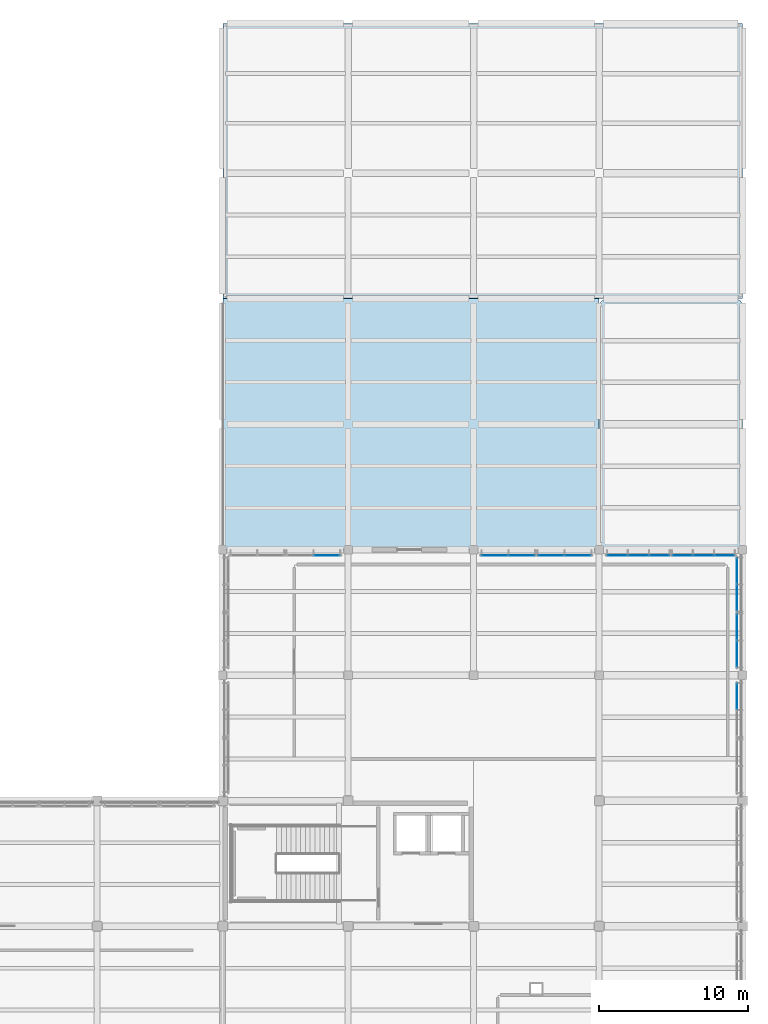
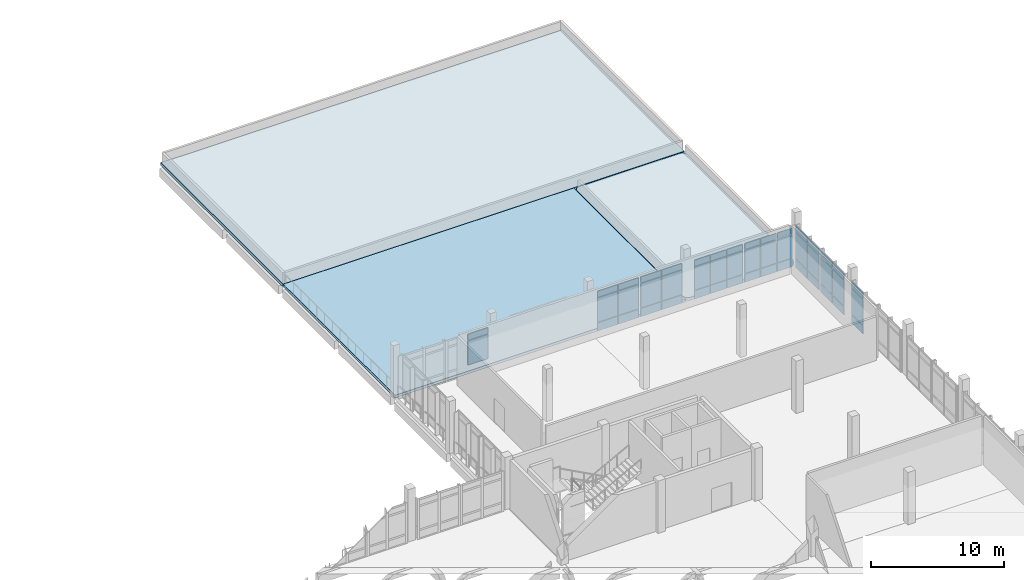
# One storey, part 39 of 63: 47 plates, 3 slabs, 8 elements without a shape of their own.
"""IFC4 building model written with IfcOpenShell, lengths in metres."""

from ifc_helpers import new_model, si_unit, derived_unit, direction, frame, origin, origin_2d, place, context, subcontext, project, spatial, polyline, rectangle, outline, extrude, material, layer, layer_set, type_object, element, aggregate, save


model = new_model("IFC4")

# Units and contexts
model_context = context("Model", 3, precision=1e-05, world=origin(), true_north=direction((0.0, 1.0)))
body_context = subcontext(model_context, "Body", "Model", "MODEL_VIEW")
ifc_project = project(units=[si_unit("LENGTHUNIT", "METRE"), si_unit("AREAUNIT", "SQUARE_METRE"), si_unit("VOLUMEUNIT", "CUBIC_METRE"), si_unit("PLANEANGLEUNIT", "RADIAN"), si_unit("MASSUNIT", "GRAM", prefix="KILO"), derived_unit("THERMALTRANSMITTANCEUNIT", [(si_unit("POWERUNIT", "WATT"), 1), (si_unit("LENGTHUNIT", "METRE"), -2), (si_unit("THERMODYNAMICTEMPERATUREUNIT", "KELVIN"), -1)])], contexts=[model_context])

# Site, building, storey
site_placement = place(None, origin())
site = spatial("IfcSite", under=ifc_project, at=site_placement, CompositionType="ELEMENT")
building_placement = place(site_placement, origin())
building = spatial("IfcBuilding", under=site, at=building_placement, Name="Elbkamm Science Centre", CompositionType="ELEMENT")
storey_placement = place(building_placement, frame((0.0, 0.0, 5.10009765625)))
storey = spatial("IfcBuildingStorey", under=building, at=storey_placement, Name="L01", CompositionType="ELEMENT", Elevation=5.10009765625)

# Curtain wall, plates
ifc_material_1 = material(Name="Powder-coated aluminium and triple low-E glazing", Category="aluminium")
ifc_layer_1 = layer(ifc_material_1, 0.159912109375)
ifc_layer_set_1 = layer_set([ifc_layer_1], Name="Powder-coated aluminium and triple low-E glazing")
curtain_wall_type_1 = type_object("IfcCurtainWallType", Name="CW-UNIT-3680x3780", PredefinedType="USERDEFINED", material=ifc_layer_set_1)
curtain_wall_1_placement = place(storey_placement, origin())
curtain_wall_1 = element("IfcCurtainWall", 1, at=curtain_wall_1_placement, inside=storey, type_object=curtain_wall_type_1, Name="L01 Unitised Curtain Wall 160", ObjectType="UNITISED CURTAIN WALL", PredefinedType="USERDEFINED")
ifc_material_2 = material(Name="Triple solar-control insulated safety glass", Category="glass")
ifc_layer_2 = layer(ifc_material_2, 0.048095703125)
ifc_layer_set_2 = layer_set([ifc_layer_2], Name="Triple solar-control insulated safety glass")
plate_type = type_object("IfcPlateType", Name="CW-PNL-48", PredefinedType="CURTAIN_PANEL", material=ifc_layer_set_2)
plate_1_placement = place(storey_placement, frame((132.977783203125, 75.219970703125, 0.885009765625), z_axis=(0.0, 0.0, 1.0), x_axis=(1.0, 0.0, 0.0)))
plate_1 = element("IfcPlate", 2, at=plate_1_placement, type_object=plate_type, Name="CW-075 panel 2.2", PredefinedType="CURTAIN_PANEL", context=body_context, shape_type="SweptSolid", body=[
    extrude(rectangle(XDim=1.73193359375, YDim=0.048095703125, at=origin_2d()), origin(), (0.0, 0.0, 1.0), 2.2099609375),
])
plate_2_placement = place(storey_placement, frame((132.977783203125, 75.219970703125, 3.1650390625), z_axis=(0.0, 0.0, 1.0), x_axis=(1.0, 0.0, 0.0)))
plate_2 = element("IfcPlate", 3, at=plate_2_placement, type_object=plate_type, Name="CW-075 panel 2.3", PredefinedType="CURTAIN_PANEL", context=body_context, shape_type="SweptSolid", body=[
    extrude(rectangle(XDim=1.73193359375, YDim=0.048095703125, at=origin_2d()), origin(), (0.0, 0.0, 1.0), 0.544921875),
])
aggregate(curtain_wall_1, [plate_1, plate_2])

curtain_wall_2_placement = place(storey_placement, origin())
curtain_wall_2 = element("IfcCurtainWall", 4, at=curtain_wall_2_placement, inside=storey, type_object=curtain_wall_type_1, Name="L01 Unitised Curtain Wall 161", ObjectType="UNITISED CURTAIN WALL", PredefinedType="USERDEFINED")
plate_3_placement = place(storey_placement, frame((144.22216796875, 75.219970703125, 0.06982421875), z_axis=(0.0, 0.0, 1.0), x_axis=(1.0, 0.0, 0.0)))
plate_3 = element("IfcPlate", 5, at=plate_3_placement, type_object=plate_type, Name="CW-075 panel 1.1", PredefinedType="CURTAIN_PANEL", context=body_context, shape_type="SweptSolid", body=[
    extrude(rectangle(XDim=1.73193359375, YDim=0.048095703125, at=origin_2d()), origin(), (0.0, 0.0, 1.0), 0.7451171875),
])
plate_4_placement = place(storey_placement, frame((144.22216796875, 75.219970703125, 0.885009765625), z_axis=(0.0, 0.0, 1.0), x_axis=(1.0, 0.0, 0.0)))
plate_4 = element("IfcPlate", 6, at=plate_4_placement, type_object=plate_type, Name="CW-075 panel 1.2", PredefinedType="CURTAIN_PANEL", context=body_context, shape_type="SweptSolid", body=[
    extrude(rectangle(XDim=1.73193359375, YDim=0.048095703125, at=origin_2d()), origin(), (0.0, 0.0, 1.0), 2.2099609375),
])
plate_5_placement = place(storey_placement, frame((144.22216796875, 75.219970703125, 3.1650390625), z_axis=(0.0, 0.0, 1.0), x_axis=(1.0, 0.0, 0.0)))
plate_5 = element("IfcPlate", 7, at=plate_5_placement, type_object=plate_type, Name="CW-075 panel 1.3", PredefinedType="CURTAIN_PANEL", context=body_context, shape_type="SweptSolid", body=[
    extrude(rectangle(XDim=1.73193359375, YDim=0.048095703125, at=origin_2d()), origin(), (0.0, 0.0, 1.0), 0.544921875),
])
plate_6_placement = place(storey_placement, frame((146.024169921875, 75.219970703125, 0.06982421875), z_axis=(0.0, 0.0, 1.0), x_axis=(1.0, 0.0, 0.0)))
plate_6 = element("IfcPlate", 8, at=plate_6_placement, type_object=plate_type, Name="CW-075 panel 2.1", PredefinedType="CURTAIN_PANEL", context=body_context, shape_type="SweptSolid", body=[
    extrude(rectangle(XDim=1.73193359375, YDim=0.048095703125, at=origin_2d()), origin(), (0.0, 0.0, 1.0), 0.7451171875),
])
plate_7_placement = place(storey_placement, frame((146.024169921875, 75.219970703125, 0.885009765625), z_axis=(0.0, 0.0, 1.0), x_axis=(1.0, 0.0, 0.0)))
plate_7 = element("IfcPlate", 9, at=plate_7_placement, type_object=plate_type, Name="CW-075 panel 2.2", PredefinedType="CURTAIN_PANEL", context=body_context, shape_type="SweptSolid", body=[
    extrude(rectangle(XDim=1.73193359375, YDim=0.048095703125, at=origin_2d()), origin(), (0.0, 0.0, 1.0), 2.2099609375),
])
plate_8_placement = place(storey_placement, frame((146.024169921875, 75.219970703125, 3.1650390625), z_axis=(0.0, 0.0, 1.0), x_axis=(1.0, 0.0, 0.0)))
plate_8 = element("IfcPlate", 10, at=plate_8_placement, type_object=plate_type, Name="CW-075 panel 2.3", PredefinedType="CURTAIN_PANEL", context=body_context, shape_type="SweptSolid", body=[
    extrude(rectangle(XDim=1.73193359375, YDim=0.048095703125, at=origin_2d()), origin(), (0.0, 0.0, 1.0), 0.544921875),
])
aggregate(curtain_wall_2, [plate_3, plate_4, plate_5, plate_6, plate_7, plate_8])

curtain_wall_3_placement = place(storey_placement, origin())
curtain_wall_3 = element("IfcCurtainWall", 11, at=curtain_wall_3_placement, inside=storey, type_object=curtain_wall_type_1, Name="L01 Unitised Curtain Wall 162", ObjectType="UNITISED CURTAIN WALL", PredefinedType="USERDEFINED")
plate_9_placement = place(storey_placement, frame((147.975830078125, 75.219970703125, 0.06982421875), z_axis=(0.0, 0.0, 1.0), x_axis=(1.0, 0.0, 0.0)))
plate_9 = element("IfcPlate", 12, at=plate_9_placement, type_object=plate_type, Name="CW-075 panel 1.1", PredefinedType="CURTAIN_PANEL", context=body_context, shape_type="SweptSolid", body=[
    extrude(rectangle(XDim=1.73193359375, YDim=0.048095703125, at=origin_2d()), origin(), (0.0, 0.0, 1.0), 0.7451171875),
])
plate_10_placement = place(storey_placement, frame((147.975830078125, 75.219970703125, 0.885009765625), z_axis=(0.0, 0.0, 1.0), x_axis=(1.0, 0.0, 0.0)))
plate_10 = element("IfcPlate", 13, at=plate_10_placement, type_object=plate_type, Name="CW-075 panel 1.2", PredefinedType="CURTAIN_PANEL", context=body_context, shape_type="SweptSolid", body=[
    extrude(rectangle(XDim=1.73193359375, YDim=0.048095703125, at=origin_2d()), origin(), (0.0, 0.0, 1.0), 2.2099609375),
])
plate_11_placement = place(storey_placement, frame((147.975830078125, 75.219970703125, 3.1650390625), z_axis=(0.0, 0.0, 1.0), x_axis=(1.0, 0.0, 0.0)))
plate_11 = element("IfcPlate", 14, at=plate_11_placement, type_object=plate_type, Name="CW-075 panel 1.3", PredefinedType="CURTAIN_PANEL", context=body_context, shape_type="SweptSolid", body=[
    extrude(rectangle(XDim=1.73193359375, YDim=0.048095703125, at=origin_2d()), origin(), (0.0, 0.0, 1.0), 0.544921875),
])
plate_12_placement = place(storey_placement, frame((149.77783203125, 75.219970703125, 0.06982421875), z_axis=(0.0, 0.0, 1.0), x_axis=(1.0, 0.0, 0.0)))
plate_12 = element("IfcPlate", 15, at=plate_12_placement, type_object=plate_type, Name="CW-075 panel 2.1", PredefinedType="CURTAIN_PANEL", context=body_context, shape_type="SweptSolid", body=[
    extrude(rectangle(XDim=1.73193359375, YDim=0.048095703125, at=origin_2d()), origin(), (0.0, 0.0, 1.0), 0.7451171875),
])
plate_13_placement = place(storey_placement, frame((149.77783203125, 75.219970703125, 0.885009765625), z_axis=(0.0, 0.0, 1.0), x_axis=(1.0, 0.0, 0.0)))
plate_13 = element("IfcPlate", 16, at=plate_13_placement, type_object=plate_type, Name="CW-075 panel 2.2", PredefinedType="CURTAIN_PANEL", context=body_context, shape_type="SweptSolid", body=[
    extrude(rectangle(XDim=1.73193359375, YDim=0.048095703125, at=origin_2d()), origin(), (0.0, 0.0, 1.0), 2.2099609375),
])
plate_14_placement = place(storey_placement, frame((149.77783203125, 75.219970703125, 3.1650390625), z_axis=(0.0, 0.0, 1.0), x_axis=(1.0, 0.0, 0.0)))
plate_14 = element("IfcPlate", 17, at=plate_14_placement, type_object=plate_type, Name="CW-075 panel 2.3", PredefinedType="CURTAIN_PANEL", context=body_context, shape_type="SweptSolid", body=[
    extrude(rectangle(XDim=1.73193359375, YDim=0.048095703125, at=origin_2d()), origin(), (0.0, 0.0, 1.0), 0.544921875),
])
aggregate(curtain_wall_3, [plate_9, plate_10, plate_11, plate_12, plate_13, plate_14])

ifc_layer_3 = layer(ifc_material_1, 0.159912109375)
ifc_layer_set_3 = layer_set([ifc_layer_3], Name="Powder-coated aluminium and triple low-E glazing")
curtain_wall_type_2 = type_object("IfcCurtainWallType", Name="CW-UNIT-4280x3680", PredefinedType="USERDEFINED", material=ifc_layer_set_3)
curtain_wall_4_placement = place(storey_placement, origin())
curtain_wall_4 = element("IfcCurtainWall", 18, at=curtain_wall_4_placement, inside=storey, type_object=curtain_wall_type_2, Name="L01 Unitised Curtain Wall 163", ObjectType="UNITISED CURTAIN WALL", PredefinedType="USERDEFINED")
plate_15_placement = place(storey_placement, frame((152.416015625, 75.219970703125, 0.06982421875), z_axis=(0.0, 0.0, 1.0), x_axis=(1.0, 0.0, 0.0)))
plate_15 = element("IfcPlate", 19, at=plate_15_placement, type_object=plate_type, Name="CW-076 panel 1.1", PredefinedType="CURTAIN_PANEL", context=body_context, shape_type="SweptSolid", body=[
    extrude(rectangle(XDim=1.319580078125, YDim=0.048095703125, at=origin_2d()), origin(), (0.0, 0.0, 1.0), 0.7451171875),
])
plate_16_placement = place(storey_placement, frame((152.416015625, 75.219970703125, 0.884765625), z_axis=(0.0, 0.0, 1.0), x_axis=(1.0, 0.0, 0.0)))
plate_16 = element("IfcPlate", 20, at=plate_16_placement, type_object=plate_type, Name="CW-076 panel 1.2", PredefinedType="CURTAIN_PANEL", context=body_context, shape_type="SweptSolid", body=[
    extrude(rectangle(XDim=1.319580078125, YDim=0.048095703125, at=origin_2d()), origin(), (0.0, 0.0, 1.0), 2.110107421875),
])
plate_17_placement = place(storey_placement, frame((152.416015625, 75.219970703125, 3.06494140625), z_axis=(0.0, 0.0, 1.0), x_axis=(1.0, 0.0, 0.0)))
plate_17 = element("IfcPlate", 21, at=plate_17_placement, type_object=plate_type, Name="CW-076 panel 1.3", PredefinedType="CURTAIN_PANEL", context=body_context, shape_type="SweptSolid", body=[
    extrude(rectangle(XDim=1.319580078125, YDim=0.048095703125, at=origin_2d()), origin(), (0.0, 0.0, 1.0), 0.544921875),
])
plate_18_placement = place(storey_placement, frame((153.8232421875, 75.219970703125, 0.06982421875), z_axis=(0.0, 0.0, 1.0), x_axis=(1.0, 0.0, 0.0)))
plate_18 = element("IfcPlate", 22, at=plate_18_placement, type_object=plate_type, Name="CW-076 panel 2.1", PredefinedType="CURTAIN_PANEL", context=body_context, shape_type="SweptSolid", body=[
    extrude(rectangle(XDim=1.3544921875, YDim=0.048095703125, at=origin_2d()), origin(), (0.0, 0.0, 1.0), 0.7451171875),
])
plate_19_placement = place(storey_placement, frame((153.8232421875, 75.219970703125, 0.884765625), z_axis=(0.0, 0.0, 1.0), x_axis=(1.0, 0.0, 0.0)))
plate_19 = element("IfcPlate", 23, at=plate_19_placement, type_object=plate_type, Name="CW-076 panel 2.2", PredefinedType="CURTAIN_PANEL", context=body_context, shape_type="SweptSolid", body=[
    extrude(rectangle(XDim=1.3544921875, YDim=0.048095703125, at=origin_2d()), origin(), (0.0, 0.0, 1.0), 2.110107421875),
])
plate_20_placement = place(storey_placement, frame((153.8232421875, 75.219970703125, 3.06494140625), z_axis=(0.0, 0.0, 1.0), x_axis=(1.0, 0.0, 0.0)))
plate_20 = element("IfcPlate", 24, at=plate_20_placement, type_object=plate_type, Name="CW-076 panel 2.3", PredefinedType="CURTAIN_PANEL", context=body_context, shape_type="SweptSolid", body=[
    extrude(rectangle(XDim=1.3544921875, YDim=0.048095703125, at=origin_2d()), origin(), (0.0, 0.0, 1.0), 0.544921875),
])
plate_21_placement = place(storey_placement, frame((155.230224609375, 75.219970703125, 0.06982421875), z_axis=(0.0, 0.0, 1.0), x_axis=(1.0, 0.0, 0.0)))
plate_21 = element("IfcPlate", 25, at=plate_21_placement, type_object=plate_type, Name="CW-076 panel 3.1", PredefinedType="CURTAIN_PANEL", context=body_context, shape_type="SweptSolid", body=[
    extrude(rectangle(XDim=1.319580078125, YDim=0.048095703125, at=origin_2d()), origin(), (0.0, 0.0, 1.0), 0.7451171875),
])
plate_22_placement = place(storey_placement, frame((155.230224609375, 75.219970703125, 0.884765625), z_axis=(0.0, 0.0, 1.0), x_axis=(1.0, 0.0, 0.0)))
plate_22 = element("IfcPlate", 26, at=plate_22_placement, type_object=plate_type, Name="CW-076 panel 3.2", PredefinedType="CURTAIN_PANEL", context=body_context, shape_type="SweptSolid", body=[
    extrude(rectangle(XDim=1.319580078125, YDim=0.048095703125, at=origin_2d()), origin(), (0.0, 0.0, 1.0), 2.110107421875),
])
plate_23_placement = place(storey_placement, frame((155.230224609375, 75.219970703125, 3.06494140625), z_axis=(0.0, 0.0, 1.0), x_axis=(1.0, 0.0, 0.0)))
plate_23 = element("IfcPlate", 27, at=plate_23_placement, type_object=plate_type, Name="CW-076 panel 3.3", PredefinedType="CURTAIN_PANEL", context=body_context, shape_type="SweptSolid", body=[
    extrude(rectangle(XDim=1.319580078125, YDim=0.048095703125, at=origin_2d()), origin(), (0.0, 0.0, 1.0), 0.544921875),
])
aggregate(curtain_wall_4, [plate_15, plate_16, plate_17, plate_18, plate_19, plate_20, plate_21, plate_22, plate_23])

curtain_wall_5_placement = place(storey_placement, origin())
curtain_wall_5 = element("IfcCurtainWall", 28, at=curtain_wall_5_placement, inside=storey, type_object=curtain_wall_type_2, Name="L01 Unitised Curtain Wall 164", ObjectType="UNITISED CURTAIN WALL", PredefinedType="USERDEFINED")
plate_24_placement = place(storey_placement, frame((156.769775390625, 75.219970703125, 0.06982421875), z_axis=(0.0, 0.0, 1.0), x_axis=(1.0, 0.0, 0.0)))
plate_24 = element("IfcPlate", 29, at=plate_24_placement, type_object=plate_type, Name="CW-076 panel 1.1", PredefinedType="CURTAIN_PANEL", context=body_context, shape_type="SweptSolid", body=[
    extrude(rectangle(XDim=1.319580078125, YDim=0.048095703125, at=origin_2d()), origin(), (0.0, 0.0, 1.0), 0.7451171875),
])
plate_25_placement = place(storey_placement, frame((156.769775390625, 75.219970703125, 0.884765625), z_axis=(0.0, 0.0, 1.0), x_axis=(1.0, 0.0, 0.0)))
plate_25 = element("IfcPlate", 30, at=plate_25_placement, type_object=plate_type, Name="CW-076 panel 1.2", PredefinedType="CURTAIN_PANEL", context=body_context, shape_type="SweptSolid", body=[
    extrude(rectangle(XDim=1.319580078125, YDim=0.048095703125, at=origin_2d()), origin(), (0.0, 0.0, 1.0), 2.110107421875),
])
plate_26_placement = place(storey_placement, frame((156.769775390625, 75.219970703125, 3.06494140625), z_axis=(0.0, 0.0, 1.0), x_axis=(1.0, 0.0, 0.0)))
plate_26 = element("IfcPlate", 31, at=plate_26_placement, type_object=plate_type, Name="CW-076 panel 1.3", PredefinedType="CURTAIN_PANEL", context=body_context, shape_type="SweptSolid", body=[
    extrude(rectangle(XDim=1.319580078125, YDim=0.048095703125, at=origin_2d()), origin(), (0.0, 0.0, 1.0), 0.544921875),
])
plate_27_placement = place(storey_placement, frame((158.1767578125, 75.219970703125, 0.06982421875), z_axis=(0.0, 0.0, 1.0), x_axis=(1.0, 0.0, 0.0)))
plate_27 = element("IfcPlate", 32, at=plate_27_placement, type_object=plate_type, Name="CW-076 panel 2.1", PredefinedType="CURTAIN_PANEL", context=body_context, shape_type="SweptSolid", body=[
    extrude(rectangle(XDim=1.3544921875, YDim=0.048095703125, at=origin_2d()), origin(), (0.0, 0.0, 1.0), 0.7451171875),
])
plate_28_placement = place(storey_placement, frame((158.1767578125, 75.219970703125, 0.884765625), z_axis=(0.0, 0.0, 1.0), x_axis=(1.0, 0.0, 0.0)))
plate_28 = element("IfcPlate", 33, at=plate_28_placement, type_object=plate_type, Name="CW-076 panel 2.2", PredefinedType="CURTAIN_PANEL", context=body_context, shape_type="SweptSolid", body=[
    extrude(rectangle(XDim=1.3544921875, YDim=0.048095703125, at=origin_2d()), origin(), (0.0, 0.0, 1.0), 2.110107421875),
])
plate_29_placement = place(storey_placement, frame((158.1767578125, 75.219970703125, 3.06494140625), z_axis=(0.0, 0.0, 1.0), x_axis=(1.0, 0.0, 0.0)))
plate_29 = element("IfcPlate", 34, at=plate_29_placement, type_object=plate_type, Name="CW-076 panel 2.3", PredefinedType="CURTAIN_PANEL", context=body_context, shape_type="SweptSolid", body=[
    extrude(rectangle(XDim=1.3544921875, YDim=0.048095703125, at=origin_2d()), origin(), (0.0, 0.0, 1.0), 0.544921875),
])
plate_30_placement = place(storey_placement, frame((159.583984375, 75.219970703125, 0.06982421875), z_axis=(0.0, 0.0, 1.0), x_axis=(1.0, 0.0, 0.0)))
plate_30 = element("IfcPlate", 35, at=plate_30_placement, type_object=plate_type, Name="CW-076 panel 3.1", PredefinedType="CURTAIN_PANEL", context=body_context, shape_type="SweptSolid", body=[
    extrude(rectangle(XDim=1.319580078125, YDim=0.048095703125, at=origin_2d()), origin(), (0.0, 0.0, 1.0), 0.7451171875),
])
plate_31_placement = place(storey_placement, frame((159.583984375, 75.219970703125, 0.884765625), z_axis=(0.0, 0.0, 1.0), x_axis=(1.0, 0.0, 0.0)))
plate_31 = element("IfcPlate", 36, at=plate_31_placement, type_object=plate_type, Name="CW-076 panel 3.2", PredefinedType="CURTAIN_PANEL", context=body_context, shape_type="SweptSolid", body=[
    extrude(rectangle(XDim=1.319580078125, YDim=0.048095703125, at=origin_2d()), origin(), (0.0, 0.0, 1.0), 2.110107421875),
])
plate_32_placement = place(storey_placement, frame((159.583984375, 75.219970703125, 3.06494140625), z_axis=(0.0, 0.0, 1.0), x_axis=(1.0, 0.0, 0.0)))
plate_32 = element("IfcPlate", 37, at=plate_32_placement, type_object=plate_type, Name="CW-076 panel 3.3", PredefinedType="CURTAIN_PANEL", context=body_context, shape_type="SweptSolid", body=[
    extrude(rectangle(XDim=1.319580078125, YDim=0.048095703125, at=origin_2d()), origin(), (0.0, 0.0, 1.0), 0.544921875),
])
aggregate(curtain_wall_5, [plate_24, plate_25, plate_26, plate_27, plate_28, plate_29, plate_30, plate_31, plate_32])

ifc_layer_4 = layer(ifc_material_1, 0.159912109375)
ifc_layer_set_4 = layer_set([ifc_layer_4], Name="Powder-coated aluminium and triple low-E glazing")
curtain_wall_type_3 = type_object("IfcCurtainWallType", Name="CW-UNIT-3680x3920", PredefinedType="USERDEFINED", material=ifc_layer_set_4)
curtain_wall_6_placement = place(storey_placement, origin())
curtain_wall_6 = element("IfcCurtainWall", 38, at=curtain_wall_6_placement, inside=storey, type_object=curtain_wall_type_3, Name="L01 Unitised Curtain Wall 165", ObjectType="UNITISED CURTAIN WALL", PredefinedType="USERDEFINED")
plate_33_placement = place(storey_placement, frame((160.419921875, 74.177734375, 0.06982421875), z_axis=(0.0, 0.0, 1.0), x_axis=(0.0, -1.0, 0.0)))
plate_33 = element("IfcPlate", 39, at=plate_33_placement, type_object=plate_type, Name="CW-077 panel 1.1", PredefinedType="CURTAIN_PANEL", context=body_context, shape_type="SweptSolid", body=[
    extrude(rectangle(XDim=1.73193359375, YDim=0.048095703125, at=origin_2d()), origin(), (0.0, 0.0, 1.0), 0.7451171875),
])
plate_34_placement = place(storey_placement, frame((160.419921875, 74.177734375, 0.884765625), z_axis=(0.0, 0.0, 1.0), x_axis=(0.0, -1.0, 0.0)))
plate_34 = element("IfcPlate", 40, at=plate_34_placement, type_object=plate_type, Name="CW-077 panel 1.2", PredefinedType="CURTAIN_PANEL", context=body_context, shape_type="SweptSolid", body=[
    extrude(rectangle(XDim=1.73193359375, YDim=0.048095703125, at=origin_2d()), origin(), (0.0, 0.0, 1.0), 2.360107421875),
])
plate_35_placement = place(storey_placement, frame((160.419921875, 74.177734375, 3.31494140625), z_axis=(0.0, 0.0, 1.0), x_axis=(0.0, -1.0, 0.0)))
plate_35 = element("IfcPlate", 41, at=plate_35_placement, type_object=plate_type, Name="CW-077 panel 1.3", PredefinedType="CURTAIN_PANEL", context=body_context, shape_type="SweptSolid", body=[
    extrude(rectangle(XDim=1.73193359375, YDim=0.048095703125, at=origin_2d()), origin(), (0.0, 0.0, 1.0), 0.544921875),
])
plate_36_placement = place(storey_placement, frame((160.419921875, 72.3759765625, 0.06982421875), z_axis=(0.0, 0.0, 1.0), x_axis=(0.0, -1.0, 0.0)))
plate_36 = element("IfcPlate", 42, at=plate_36_placement, type_object=plate_type, Name="CW-077 panel 2.1", PredefinedType="CURTAIN_PANEL", context=body_context, shape_type="SweptSolid", body=[
    extrude(rectangle(XDim=1.73193359375, YDim=0.048095703125, at=origin_2d()), origin(), (0.0, 0.0, 1.0), 0.7451171875),
])
plate_37_placement = place(storey_placement, frame((160.419921875, 72.3759765625, 0.884765625), z_axis=(0.0, 0.0, 1.0), x_axis=(0.0, -1.0, 0.0)))
plate_37 = element("IfcPlate", 43, at=plate_37_placement, type_object=plate_type, Name="CW-077 panel 2.2", PredefinedType="CURTAIN_PANEL", context=body_context, shape_type="SweptSolid", body=[
    extrude(rectangle(XDim=1.73193359375, YDim=0.048095703125, at=origin_2d()), origin(), (0.0, 0.0, 1.0), 2.360107421875),
])
plate_38_placement = place(storey_placement, frame((160.419921875, 72.3759765625, 3.31494140625), z_axis=(0.0, 0.0, 1.0), x_axis=(0.0, -1.0, 0.0)))
plate_38 = element("IfcPlate", 44, at=plate_38_placement, type_object=plate_type, Name="CW-077 panel 2.3", PredefinedType="CURTAIN_PANEL", context=body_context, shape_type="SweptSolid", body=[
    extrude(rectangle(XDim=1.73193359375, YDim=0.048095703125, at=origin_2d()), origin(), (0.0, 0.0, 1.0), 0.544921875),
])
aggregate(curtain_wall_6, [plate_33, plate_34, plate_35, plate_36, plate_37, plate_38])

curtain_wall_7_placement = place(storey_placement, origin())
curtain_wall_7 = element("IfcCurtainWall", 45, at=curtain_wall_7_placement, inside=storey, type_object=curtain_wall_type_3, Name="L01 Unitised Curtain Wall 166", ObjectType="UNITISED CURTAIN WALL", PredefinedType="USERDEFINED")
plate_39_placement = place(storey_placement, frame((160.419921875, 70.424072265625, 0.06982421875), z_axis=(0.0, 0.0, 1.0), x_axis=(0.0, -1.0, 0.0)))
plate_39 = element("IfcPlate", 46, at=plate_39_placement, type_object=plate_type, Name="CW-077 panel 1.1", PredefinedType="CURTAIN_PANEL", context=body_context, shape_type="SweptSolid", body=[
    extrude(rectangle(XDim=1.73193359375, YDim=0.048095703125, at=origin_2d()), origin(), (0.0, 0.0, 1.0), 0.7451171875),
])
plate_40_placement = place(storey_placement, frame((160.419921875, 70.424072265625, 0.884765625), z_axis=(0.0, 0.0, 1.0), x_axis=(0.0, -1.0, 0.0)))
plate_40 = element("IfcPlate", 47, at=plate_40_placement, type_object=plate_type, Name="CW-077 panel 1.2", PredefinedType="CURTAIN_PANEL", context=body_context, shape_type="SweptSolid", body=[
    extrude(rectangle(XDim=1.73193359375, YDim=0.048095703125, at=origin_2d()), origin(), (0.0, 0.0, 1.0), 2.360107421875),
])
plate_41_placement = place(storey_placement, frame((160.419921875, 70.424072265625, 3.31494140625), z_axis=(0.0, 0.0, 1.0), x_axis=(0.0, -1.0, 0.0)))
plate_41 = element("IfcPlate", 48, at=plate_41_placement, type_object=plate_type, Name="CW-077 panel 1.3", PredefinedType="CURTAIN_PANEL", context=body_context, shape_type="SweptSolid", body=[
    extrude(rectangle(XDim=1.73193359375, YDim=0.048095703125, at=origin_2d()), origin(), (0.0, 0.0, 1.0), 0.544921875),
])
plate_42_placement = place(storey_placement, frame((160.419921875, 68.622314453125, 0.06982421875), z_axis=(0.0, 0.0, 1.0), x_axis=(0.0, -1.0, 0.0)))
plate_42 = element("IfcPlate", 49, at=plate_42_placement, type_object=plate_type, Name="CW-077 panel 2.1", PredefinedType="CURTAIN_PANEL", context=body_context, shape_type="SweptSolid", body=[
    extrude(rectangle(XDim=1.73193359375, YDim=0.048095703125, at=origin_2d()), origin(), (0.0, 0.0, 1.0), 0.7451171875),
])
plate_43_placement = place(storey_placement, frame((160.419921875, 68.622314453125, 0.884765625), z_axis=(0.0, 0.0, 1.0), x_axis=(0.0, -1.0, 0.0)))
plate_43 = element("IfcPlate", 50, at=plate_43_placement, type_object=plate_type, Name="CW-077 panel 2.2", PredefinedType="CURTAIN_PANEL", context=body_context, shape_type="SweptSolid", body=[
    extrude(rectangle(XDim=1.73193359375, YDim=0.048095703125, at=origin_2d()), origin(), (0.0, 0.0, 1.0), 2.360107421875),
])
plate_44_placement = place(storey_placement, frame((160.419921875, 68.622314453125, 3.31494140625), z_axis=(0.0, 0.0, 1.0), x_axis=(0.0, -1.0, 0.0)))
plate_44 = element("IfcPlate", 51, at=plate_44_placement, type_object=plate_type, Name="CW-077 panel 2.3", PredefinedType="CURTAIN_PANEL", context=body_context, shape_type="SweptSolid", body=[
    extrude(rectangle(XDim=1.73193359375, YDim=0.048095703125, at=origin_2d()), origin(), (0.0, 0.0, 1.0), 0.544921875),
])
aggregate(curtain_wall_7, [plate_39, plate_40, plate_41, plate_42, plate_43, plate_44])

ifc_layer_5 = layer(ifc_material_1, 0.159912109375)
ifc_layer_set_5 = layer_set([ifc_layer_5], Name="Powder-coated aluminium and triple low-E glazing")
curtain_wall_type_4 = type_object("IfcCurtainWallType", Name="CW-UNIT-3680x3900", PredefinedType="USERDEFINED", material=ifc_layer_set_5)
curtain_wall_8_placement = place(storey_placement, origin())
curtain_wall_8 = element("IfcCurtainWall", 52, at=curtain_wall_8_placement, inside=storey, type_object=curtain_wall_type_4, Name="L01 Unitised Curtain Wall 167", ObjectType="UNITISED CURTAIN WALL", PredefinedType="USERDEFINED")
plate_45_placement = place(storey_placement, frame((160.419921875, 65.77783203125, 0.06982421875), z_axis=(0.0, 0.0, 1.0), x_axis=(0.0, -1.0, 0.0)))
plate_45 = element("IfcPlate", 53, at=plate_45_placement, type_object=plate_type, Name="CW-066 panel 1.1", PredefinedType="CURTAIN_PANEL", context=body_context, shape_type="SweptSolid", body=[
    extrude(rectangle(XDim=1.73193359375, YDim=0.048095703125, at=origin_2d()), origin(), (0.0, 0.0, 1.0), 0.7451171875),
])
plate_46_placement = place(storey_placement, frame((160.419921875, 65.77783203125, 0.884765625), z_axis=(0.0, 0.0, 1.0), x_axis=(0.0, -1.0, 0.0)))
plate_46 = element("IfcPlate", 54, at=plate_46_placement, type_object=plate_type, Name="CW-066 panel 1.2", PredefinedType="CURTAIN_PANEL", context=body_context, shape_type="SweptSolid", body=[
    extrude(rectangle(XDim=1.73193359375, YDim=0.048095703125, at=origin_2d()), origin(), (0.0, 0.0, 1.0), 2.330078125),
])
plate_47_placement = place(storey_placement, frame((160.419921875, 65.77783203125, 3.284912109375), z_axis=(0.0, 0.0, 1.0), x_axis=(0.0, -1.0, 0.0)))
plate_47 = element("IfcPlate", 55, at=plate_47_placement, type_object=plate_type, Name="CW-066 panel 1.3", PredefinedType="CURTAIN_PANEL", context=body_context, shape_type="SweptSolid", body=[
    extrude(rectangle(XDim=1.73193359375, YDim=0.048095703125, at=origin_2d()), origin(), (0.0, 0.0, 1.0), 0.544921875),
])
aggregate(curtain_wall_8, [plate_45, plate_46, plate_47])

# Slabs
ifc_material_3 = material(Name="Exposed freeze-thaw concrete C40/50", Category="concrete")
ifc_layer_6 = layer(ifc_material_3, 0.25)
ifc_layer_set_6 = layer_set([ifc_layer_6], Name="Exposed freeze-thaw concrete C40/50")
slab_type_1 = type_object("IfcSlabType", Name="SLAB-DECK-250", PredefinedType="FLOOR", material=ifc_layer_set_6)
slab_1_placement = place(storey_placement, frame((0.0, 0.0, -0.25)))
element("IfcSlab", 56, at=slab_1_placement, inside=storey, type_object=slab_type_1, Name="Outdoor Tidal Science Deck", PredefinedType="FLOOR", context=body_context, shape_type="SweptSolid", body=[
    extrude(outline(polyline([(151.199951171875, 92.39990234375), (151.199951171875, 75.60498046875), (126.02490234375, 75.60498046875), (126.02490234375, 92.39990234375), (151.199951171875, 92.39990234375)])), origin(), (0.0, 0.0, 1.0), 0.25),
])
ifc_material_4 = material(Name="Reinforced concrete C40/50", Category="concrete")
ifc_layer_7 = layer(ifc_material_4, 0.27001953125)
ifc_layer_set_7 = layer_set([ifc_layer_7], Name="Reinforced concrete C40/50")
slab_type_2 = type_object("IfcSlabType", Name="SLAB-ROOF-270", PredefinedType="ROOF", material=ifc_layer_set_7)
slab_2_placement = place(storey_placement, frame((0.0, 0.0, -0.27001953125)))
element("IfcSlab", 57, at=slab_2_placement, inside=storey, type_object=slab_type_2, Name="L01 Step-Back Green Roof Slab", PredefinedType="ROOF", context=body_context, shape_type="SweptSolid", body=[
    extrude(outline(polyline([(160.800048828125, 110.800048828125), (160.800048828125, 92.409912109375), (126.02490234375, 92.409912109375), (126.02490234375, 110.800048828125), (160.800048828125, 110.800048828125)])), origin(), (0.0, 0.0, 1.0), 0.27001953125),
])
slab_3_placement = place(storey_placement, frame((0.0, 0.0, -0.27001953125)))
element("IfcSlab", 58, at=slab_3_placement, inside=storey, type_object=slab_type_2, Name="L01 Step-Back Roof Slab 04", PredefinedType="ROOF", context=body_context, shape_type="SweptSolid", body=[
    extrude(outline(polyline([(151.59228515625, 75.638671875), (151.54931640625, 75.6494140625), (151.5078125, 75.664306640625), (151.468017578125, 75.68310546875), (151.429931640625, 75.705810546875), (151.39453125, 75.732177734375), (151.36181640625, 75.76171875), (151.33203125, 75.79443359375), (151.305908203125, 75.830078125), (151.283203125, 75.867919921875), (151.264404296875, 75.90771484375), (151.24951171875, 75.949462890625), (151.238525390625, 75.9921875), (151.232177734375, 76.035888671875), (151.22998046875, 76.080078125), (151.22998046875, 91.919921875), (151.232177734375, 91.964111328125), (151.238525390625, 92.0078125), (151.24951171875, 92.050537109375), (151.264404296875, 92.09228515625), (151.283203125, 92.132080078125), (151.305908203125, 92.169921875), (151.33203125, 92.20556640625), (151.36181640625, 92.23828125), (151.39453125, 92.267822265625), (151.429931640625, 92.294189453125), (151.468017578125, 92.31689453125), (151.5078125, 92.335693359375), (151.54931640625, 92.3505859375), (151.59228515625, 92.361328125), (151.635986328125, 92.367919921875), (151.679931640625, 92.3701171875), (160.35009765625, 92.3701171875), (160.39404296875, 92.367919921875), (160.437744140625, 92.361328125), (160.480712890625, 92.3505859375), (160.522216796875, 92.335693359375), (160.56201171875, 92.31689453125), (160.60009765625, 92.294189453125), (160.635498046875, 92.267822265625), (160.668212890625, 92.23828125), (160.697998046875, 92.20556640625), (160.72412109375, 92.169921875), (160.746826171875, 92.132080078125), (160.765625, 92.09228515625), (160.780517578125, 92.050537109375), (160.79150390625, 92.0078125), (160.7978515625, 91.964111328125), (160.800048828125, 91.919921875), (160.800048828125, 76.080078125), (160.7978515625, 76.035888671875), (160.79150390625, 75.9921875), (160.780517578125, 75.949462890625), (160.765625, 75.90771484375), (160.746826171875, 75.867919921875), (160.72412109375, 75.830078125), (160.697998046875, 75.79443359375), (160.668212890625, 75.76171875), (160.635498046875, 75.732177734375), (160.60009765625, 75.705810546875), (160.56201171875, 75.68310546875), (160.522216796875, 75.664306640625), (160.480712890625, 75.6494140625), (160.437744140625, 75.638671875), (160.39404296875, 75.632080078125), (160.35009765625, 75.6298828125), (151.679931640625, 75.6298828125), (151.635986328125, 75.632080078125), (151.59228515625, 75.638671875)])), origin(), (0.0, 0.0, 1.0), 0.27001953125),
])

save(model, "model.ifc")
